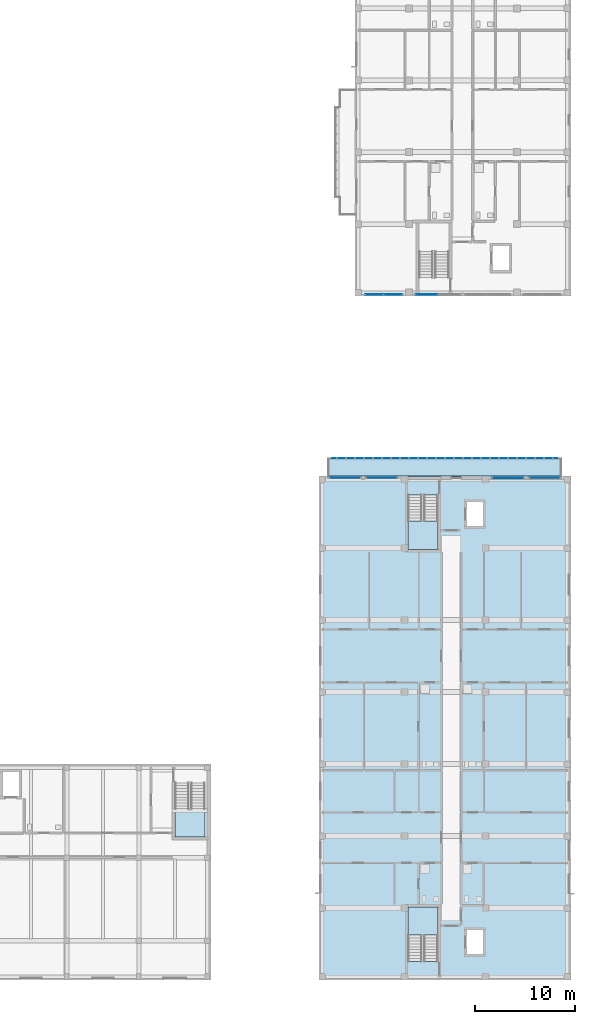
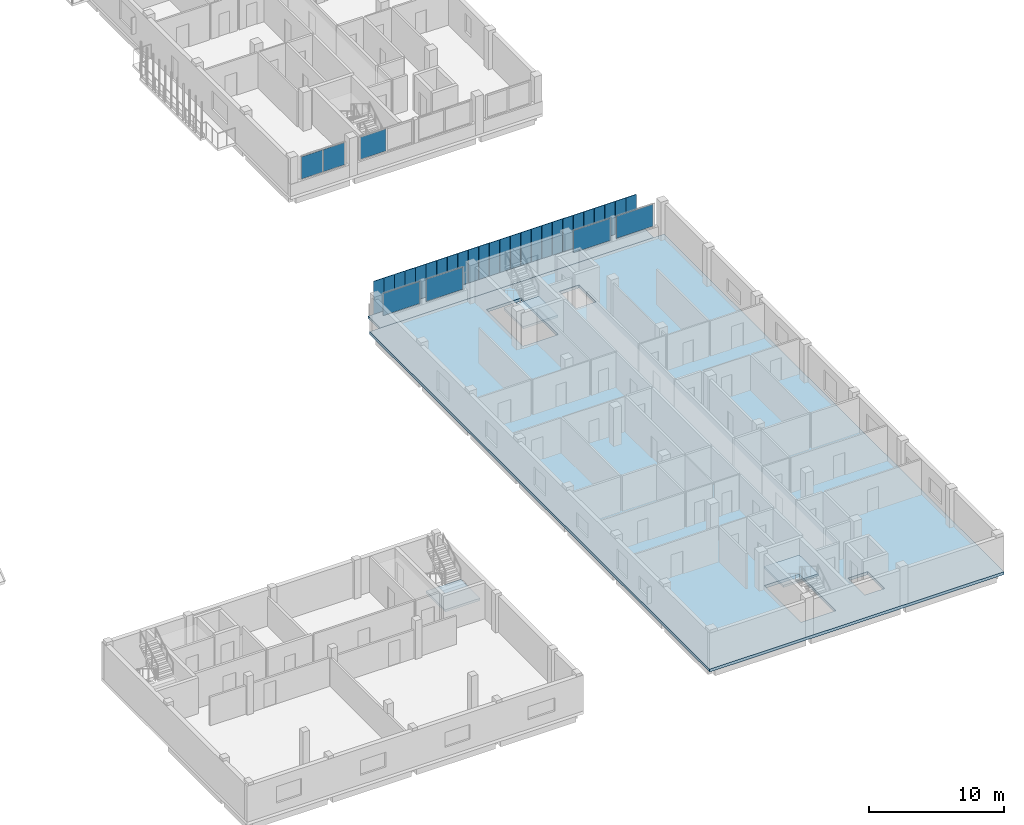
# One storey, part 33 of 73: 32 plates, 5 slabs, 9 elements without a shape of their own.
"""IFC4 building model written with IfcOpenShell, lengths in metres."""

from ifc_helpers import new_model, si_unit, derived_unit, direction, frame, origin, origin_2d, place, context, subcontext, project, spatial, polyline, rectangle, outline, extrude, material, layer, layer_set, type_object, element, aggregate, save


model = new_model("IFC4")

# Units and contexts
model_context = context("Model", 3, precision=1e-05, world=origin(), true_north=direction((0.0, 1.0)))
body_context = subcontext(model_context, "Body", "Model", "MODEL_VIEW")
ifc_project = project(units=[si_unit("LENGTHUNIT", "METRE"), si_unit("AREAUNIT", "SQUARE_METRE"), si_unit("VOLUMEUNIT", "CUBIC_METRE"), si_unit("PLANEANGLEUNIT", "RADIAN"), si_unit("MASSUNIT", "GRAM", prefix="KILO"), derived_unit("THERMALTRANSMITTANCEUNIT", [(si_unit("MASSUNIT", "GRAM", prefix="KILO"), 1), (si_unit("TIMEUNIT", "SECOND"), -3), (si_unit("THERMODYNAMICTEMPERATUREUNIT", "KELVIN"), -1)])], contexts=[model_context])

# Site, building, storey
site_placement = place(None, origin())
site = spatial("IfcSite", under=ifc_project, at=site_placement, CompositionType="ELEMENT")
building_placement = place(site_placement, origin())
building = spatial("IfcBuilding", under=site, at=building_placement, Name="Ochrekiln Boulevard Commons", CompositionType="ELEMENT")
storey_placement = place(building_placement, frame((0.0, 0.0, 8.574951171875)))
storey = spatial("IfcBuildingStorey", under=building, at=storey_placement, Name="L02", CompositionType="ELEMENT", Elevation=8.574951171875)

# Curtain wall, plate
ifc_material_1 = material(Name="Bronze-anodized extruded aluminium 6063-T6", Category="aluminium")
ifc_layer_1 = layer(ifc_material_1, 0.18408203125)
ifc_layer_set_1 = layer_set([ifc_layer_1], Name="Bronze-anodized extruded aluminium 6063-T6")
curtain_wall_type = type_object("IfcCurtainWallType", Name="CW-GABLE-B", PredefinedType="USERDEFINED", material=ifc_layer_set_1)
curtain_wall_1_placement = place(storey_placement, origin())
curtain_wall_1 = element("IfcCurtainWall", 1, at=curtain_wall_1_placement, inside=storey, type_object=curtain_wall_type, Name="Block B L02 Courtyard Glazed Gable Curtain Wall 2", ObjectType="GLAZED CURTAIN WALL", PredefinedType="USERDEFINED")
ifc_material_2 = material(Name="Spectrally selective low-E insulated glazing", Category="glass")
ifc_layer_2 = layer(ifc_material_2, 0.02392578125)
ifc_layer_set_2 = layer_set([ifc_layer_2], Name="Spectrally selective low-E insulated glazing")
plate_type_1 = type_object("IfcPlateType", Name="CWP-GLZ-1", PredefinedType="CURTAIN_PANEL", material=ifc_layer_set_2)
plate_1_placement = place(storey_placement, frame((158.38134765625, 68.570068359375, 1.175048828125), z_axis=(0.0, 0.0, 1.0), x_axis=(1.0, 0.0, 0.0)))
plate_1 = element("IfcPlate", 2, at=plate_1_placement, type_object=plate_type_1, Name="CW-02 panel 1.1", PredefinedType="CURTAIN_PANEL", context=body_context, shape_type="SweptSolid", body=[
    extrude(rectangle(XDim=2.1923828125, YDim=0.02392578125, at=origin_2d()), origin(), (0.0, 0.0, 1.0), 2.0),
])
aggregate(curtain_wall_1, [plate_1])

curtain_wall_2_placement = place(storey_placement, origin())
curtain_wall_2 = element("IfcCurtainWall", 3, at=curtain_wall_2_placement, inside=storey, type_object=curtain_wall_type, Name="Block C L02 Courtyard Glazed Gable Curtain Wall 4", ObjectType="GLAZED CURTAIN WALL", PredefinedType="USERDEFINED")
plate_2_placement = place(storey_placement, frame((170.18994140625, 50.235107421875, 1.175048828125), z_axis=(0.0, 0.0, 1.0), x_axis=(1.0, 0.0, 0.0)))
plate_2 = element("IfcPlate", 4, at=plate_2_placement, type_object=plate_type_1, Name="CW-02 panel 1.1", PredefinedType="CURTAIN_PANEL", context=body_context, shape_type="SweptSolid", body=[
    extrude(rectangle(XDim=3.14990234375, YDim=0.02392578125, at=origin_2d()), origin(), (0.0, 0.0, 1.0), 2.0),
])
aggregate(curtain_wall_2, [plate_2])

curtain_wall_3_placement = place(storey_placement, origin())
curtain_wall_3 = element("IfcCurtainWall", 5, at=curtain_wall_3_placement, inside=storey, type_object=curtain_wall_type, Name="Block C L02 Courtyard Glazed Gable Curtain Wall 1", ObjectType="GLAZED CURTAIN WALL", PredefinedType="USERDEFINED")
ifc_layer_3 = layer(ifc_material_2, 0.030029296875)
ifc_layer_set_3 = layer_set([ifc_layer_3], Name="Spectrally selective low-E insulated glazing")
plate_type_2 = type_object("IfcPlateType", Name="CWP-GLZ-2", PredefinedType="CURTAIN_PANEL", material=ifc_layer_set_3)
plate_3_placement = place(storey_placement, frame((150.2099609375, 50.235107421875, 1.175048828125), z_axis=(0.0, 0.0, 1.0), x_axis=(1.0, 0.0, 0.0)))
plate_3 = element("IfcPlate", 6, at=plate_3_placement, type_object=plate_type_2, Name="CW-02 panel 1.1", PredefinedType="CURTAIN_PANEL", context=body_context, shape_type="SweptSolid", body=[
    extrude(rectangle(XDim=3.14990234375, YDim=0.030029296875, at=origin_2d()), origin(), (0.0, 0.0, 1.0), 2.0),
])
aggregate(curtain_wall_3, [plate_3])

curtain_wall_4_placement = place(storey_placement, origin())
curtain_wall_4 = element("IfcCurtainWall", 7, at=curtain_wall_4_placement, inside=storey, type_object=curtain_wall_type, Name="Block C L02 Courtyard Glazed Gable Curtain Wall 2", ObjectType="GLAZED CURTAIN WALL", PredefinedType="USERDEFINED")
ifc_layer_4 = layer(ifc_material_2, 0.035888671875)
ifc_layer_set_4 = layer_set([ifc_layer_4], Name="Spectrally selective low-E insulated glazing")
plate_type_3 = type_object("IfcPlateType", Name="CWP-GLZ-3", PredefinedType="CURTAIN_PANEL", material=ifc_layer_set_4)
plate_4_placement = place(storey_placement, frame((153.889892578125, 50.235107421875, 1.175048828125), z_axis=(0.0, 0.0, 1.0), x_axis=(1.0, 0.0, 0.0)))
plate_4 = element("IfcPlate", 8, at=plate_4_placement, type_object=plate_type_3, Name="CW-02 panel 1.1", PredefinedType="CURTAIN_PANEL", context=body_context, shape_type="SweptSolid", body=[
    extrude(rectangle(XDim=3.14990234375, YDim=0.035888671875, at=origin_2d()), origin(), (0.0, 0.0, 1.0), 2.0),
])
aggregate(curtain_wall_4, [plate_4])

# Curtain wall, plates
curtain_wall_5_placement = place(storey_placement, origin())
curtain_wall_5 = element("IfcCurtainWall", 9, at=curtain_wall_5_placement, inside=storey, type_object=curtain_wall_type, Name="Block B L02 Courtyard Glazed Gable Curtain Wall 1", ObjectType="GLAZED CURTAIN WALL", PredefinedType="USERDEFINED")
ifc_layer_5 = layer(ifc_material_2, 0.0419921875)
ifc_layer_set_5 = layer_set([ifc_layer_5], Name="Spectrally selective low-E insulated glazing")
plate_type_4 = type_object("IfcPlateType", Name="CWP-GLZ-4", PredefinedType="CURTAIN_PANEL", material=ifc_layer_set_5)
plate_5_placement = place(storey_placement, frame((153.137451171875, 68.570068359375, 1.169921875), z_axis=(0.0, 0.0, 1.0), x_axis=(1.0, 0.0, 0.0)))
plate_5 = element("IfcPlate", 10, at=plate_5_placement, type_object=plate_type_4, Name="CW-02 panel 1.1", PredefinedType="CURTAIN_PANEL", context=body_context, shape_type="SweptSolid", body=[
    extrude(rectangle(XDim=1.81494140625, YDim=0.0419921875, at=origin_2d()), origin(), (0.0, 0.0, 1.0), 2.010009765625),
])
plate_6_placement = place(storey_placement, frame((155.012451171875, 68.570068359375, 1.169921875), z_axis=(0.0, 0.0, 1.0), x_axis=(1.0, 0.0, 0.0)))
plate_6 = element("IfcPlate", 11, at=plate_6_placement, type_object=plate_type_4, Name="CW-02 panel 2.1", PredefinedType="CURTAIN_PANEL", context=body_context, shape_type="SweptSolid", body=[
    extrude(rectangle(XDim=1.81494140625, YDim=0.0419921875, at=origin_2d()), origin(), (0.0, 0.0, 1.0), 2.010009765625),
])
aggregate(curtain_wall_5, [plate_5, plate_6])

# Curtain wall, plate
curtain_wall_6_placement = place(storey_placement, origin())
curtain_wall_6 = element("IfcCurtainWall", 12, at=curtain_wall_6_placement, inside=storey, type_object=curtain_wall_type, Name="Block C L02 Courtyard Glazed Gable Curtain Wall 3", ObjectType="GLAZED CURTAIN WALL", PredefinedType="USERDEFINED")
plate_7_placement = place(storey_placement, frame((166.510009765625, 50.235107421875, 1.175048828125), z_axis=(0.0, 0.0, 1.0), x_axis=(1.0, 0.0, 0.0)))
plate_7 = element("IfcPlate", 13, at=plate_7_placement, type_object=plate_type_4, Name="CW-02 panel 1.1", PredefinedType="CURTAIN_PANEL", context=body_context, shape_type="SweptSolid", body=[
    extrude(rectangle(XDim=3.14990234375, YDim=0.0419921875, at=origin_2d()), origin(), (0.0, 0.0, 1.0), 2.0),
])
aggregate(curtain_wall_6, [plate_7])

# Plates
ifc_layer_6 = layer(ifc_material_1, 0.0380859375)
ifc_layer_set_6 = layer_set([ifc_layer_6], Name="Bronze-anodized extruded aluminium 6063-T6")
plate_type_5 = type_object("IfcPlateType", Name="PLT-SCR-BRZ-4", PredefinedType="USERDEFINED", material=ifc_layer_set_6)
for number, where, z_axis, x_axis, name in (
    (14, (149.39990234375, 52.18994140625, -0.159912109375), (0.0, 0.0, 1.0), (1.0, 0.0, 0.0), "Block C L02 Perforated Bronze Mesh Screen Panel 1"),
    (15, (150.300048828125, 52.18994140625, -0.159912109375), (0.0, 0.0, 1.0), (1.0, 0.0, 0.0), "Block C L02 Perforated Bronze Mesh Screen Panel 2"),
    (16, (151.199951171875, 52.18994140625, -0.159912109375), (0.0, 0.0, 1.0), (1.0, 0.0, 0.0), "Block C L02 Perforated Bronze Mesh Screen Panel 3"),
    (17, (152.10009765625, 52.18994140625, -0.159912109375), (0.0, 0.0, 1.0), (1.0, 0.0, 0.0), "Block C L02 Perforated Bronze Mesh Screen Panel 4"),
    (18, (153.0, 52.18994140625, -0.159912109375), (0.0, 0.0, 1.0), (1.0, 0.0, 0.0), "Block C L02 Perforated Bronze Mesh Screen Panel 5"),
    (19, (153.89990234375, 52.18994140625, -0.159912109375), (0.0, 0.0, 1.0), (1.0, 0.0, 0.0), "Block C L02 Perforated Bronze Mesh Screen Panel 6"),
    (20, (154.800048828125, 52.18994140625, -0.159912109375), (0.0, 0.0, 1.0), (1.0, 0.0, 0.0), "Block C L02 Perforated Bronze Mesh Screen Panel 7"),
    (21, (155.699951171875, 52.18994140625, -0.159912109375), (0.0, 0.0, 1.0), (1.0, 0.0, 0.0), "Block C L02 Perforated Bronze Mesh Screen Panel 8"),
    (22, (156.60009765625, 52.18994140625, -0.159912109375), (0.0, 0.0, 1.0), (1.0, 0.0, 0.0), "Block C L02 Perforated Bronze Mesh Screen Panel 9"),
    (23, (157.5, 52.18994140625, -0.159912109375), (0.0, 0.0, 1.0), (1.0, 0.0, 0.0), "Block C L02 Perforated Bronze Mesh Screen Panel 10"),
    (24, (158.39990234375, 52.18994140625, -0.159912109375), (0.0, 0.0, 1.0), (1.0, 0.0, 0.0), "Block C L02 Perforated Bronze Mesh Screen Panel 11"),
    (25, (159.300048828125, 52.18994140625, -0.159912109375), (0.0, 0.0, 1.0), (1.0, 0.0, 0.0), "Block C L02 Perforated Bronze Mesh Screen Panel 12"),
    (26, (160.199951171875, 52.18994140625, -0.159912109375), (0.0, 0.0, 1.0), (1.0, 0.0, 0.0), "Block C L02 Perforated Bronze Mesh Screen Panel 13"),
    (27, (161.10009765625, 52.18994140625, -0.159912109375), (0.0, 0.0, 1.0), (1.0, 0.0, 0.0), "Block C L02 Perforated Bronze Mesh Screen Panel 14"),
    (28, (162.0, 52.18994140625, -0.159912109375), (0.0, 0.0, 1.0), (1.0, 0.0, 0.0), "Block C L02 Perforated Bronze Mesh Screen Panel 15"),
    (29, (162.89990234375, 52.18994140625, -0.159912109375), (0.0, 0.0, 1.0), (1.0, 0.0, 0.0), "Block C L02 Perforated Bronze Mesh Screen Panel 16"),
    (30, (163.800048828125, 52.18994140625, -0.159912109375), (0.0, 0.0, 1.0), (1.0, 0.0, 0.0), "Block C L02 Perforated Bronze Mesh Screen Panel 17"),
    (31, (164.699951171875, 52.18994140625, -0.159912109375), (0.0, 0.0, 1.0), (1.0, 0.0, 0.0), "Block C L02 Perforated Bronze Mesh Screen Panel 18"),
    (32, (165.60009765625, 52.18994140625, -0.159912109375), (0.0, 0.0, 1.0), (1.0, 0.0, 0.0), "Block C L02 Perforated Bronze Mesh Screen Panel 19"),
    (33, (166.5, 52.18994140625, -0.159912109375), (0.0, 0.0, 1.0), (1.0, 0.0, 0.0), "Block C L02 Perforated Bronze Mesh Screen Panel 20"),
    (34, (167.39990234375, 52.18994140625, -0.159912109375), (0.0, 0.0, 1.0), (1.0, 0.0, 0.0), "Block C L02 Perforated Bronze Mesh Screen Panel 21"),
    (35, (168.300048828125, 52.18994140625, -0.159912109375), (0.0, 0.0, 1.0), (1.0, 0.0, 0.0), "Block C L02 Perforated Bronze Mesh Screen Panel 22"),
    (36, (169.199951171875, 52.18994140625, -0.159912109375), (0.0, 0.0, 1.0), (1.0, 0.0, 0.0), "Block C L02 Perforated Bronze Mesh Screen Panel 23"),
    (37, (170.10009765625, 52.18994140625, -0.159912109375), (0.0, 0.0, 1.0), (1.0, 0.0, 0.0), "Block C L02 Perforated Bronze Mesh Screen Panel 24"),
    (38, (171.0, 52.18994140625, -0.159912109375), (0.0, 0.0, 1.0), (1.0, 0.0, 0.0), "Block C L02 Perforated Bronze Mesh Screen Panel 25"),
):
    element("IfcPlate", number, at=place(storey_placement, frame(where, z_axis=z_axis, x_axis=x_axis)), inside=storey, type_object=plate_type_5, Name=name, ObjectType="SCREEN", PredefinedType="USERDEFINED", context=body_context, shape_type="SweptSolid", body=[
        extrude(rectangle(XDim=0.8798828125, YDim=0.0380859375, at=origin_2d()), origin(), (0.0, 0.0, 1.0), 3.14990234375),
    ])

# Slab
ifc_material_3 = material(Name="Concrete C35/45", Category="concrete")
ifc_layer_7 = layer(ifc_material_3, 0.219970703125)
ifc_layer_set_7 = layer_set([ifc_layer_7], Name="Concrete C35/45")
slab_type_1 = type_object("IfcSlabType", Name="SLB-BAL-220", PredefinedType="FLOOR", material=ifc_layer_set_7)
slab_1_placement = place(storey_placement, frame((0.0, 0.0, -0.219970703125)))
element("IfcSlab", 39, at=slab_1_placement, inside=storey, type_object=slab_type_1, Name="Block C L02 Screened North Courtyard Balcony Slab", PredefinedType="FLOOR", context=body_context, shape_type="SweptSolid", body=[
    extrude(outline(polyline([(148.5, 50.39990234375), (171.89990234375, 50.39990234375), (171.89990234375, 52.199951171875), (148.5, 52.199951171875), (148.5, 50.39990234375)])), origin(), (0.0, 0.0, 1.0), 0.219970703125),
])

# Stair, slab
stair_type = type_object("IfcStairType", Name="STR-DL-350", PredefinedType="TWO_STRAIGHT_RUN_STAIR", material=ifc_material_3)
stair_1_placement = place(storey_placement, origin())
stair_1 = element("IfcStair", 40, at=stair_1_placement, inside=storey, type_object=stair_type, Name="L02 Enclosed Exit Stair ST-C1", PredefinedType="TWO_STRAIGHT_RUN_STAIR")
ifc_layer_8 = layer(ifc_material_3, 0.199951171875)
ifc_layer_set_8 = layer_set([ifc_layer_8], Name="Concrete C35/45")
slab_type_2 = type_object("IfcSlabType", Name="SLB-LND-200", PredefinedType="LANDING", material=ifc_layer_set_8)
slab_2_placement = place(storey_placement, frame((0.0, 0.0, 1.550048828125)))
slab_2 = element("IfcSlab", 41, at=slab_2_placement, type_object=slab_type_2, Name="ST-C1 landing 1", PredefinedType="LANDING", context=body_context, shape_type="SweptSolid", body=[
    extrude(outline(polyline([(159.5, 4.47998046875), (159.5, 7.320068359375), (156.5, 7.320068359375), (156.5, 4.47998046875), (159.5, 4.47998046875)])), origin(), (0.0, 0.0, 1.0), 0.199951171875),
])
aggregate(stair_1, [slab_2])

stair_2_placement = place(storey_placement, origin())
stair_2 = element("IfcStair", 42, at=stair_2_placement, inside=storey, type_object=stair_type, Name="L02 Enclosed Exit Stair ST-C2", PredefinedType="TWO_STRAIGHT_RUN_STAIR")
slab_3_placement = place(storey_placement, frame((0.0, 0.0, 1.550048828125)))
slab_3 = element("IfcSlab", 43, at=slab_3_placement, type_object=slab_type_2, Name="ST-C2 landing 1", PredefinedType="LANDING", context=body_context, shape_type="SweptSolid", body=[
    extrude(outline(polyline([(156.5, 45.919921875), (156.5, 43.080078125), (159.5, 43.080078125), (159.5, 45.919921875), (156.5, 45.919921875)])), origin(), (0.0, 0.0, 1.0), 0.199951171875),
])
aggregate(stair_2, [slab_3])

stair_3_placement = place(storey_placement, origin())
stair_3 = element("IfcStair", 44, at=stair_3_placement, inside=storey, type_object=stair_type, Name="L02 Enclosed Exit Stair ST-E2", PredefinedType="TWO_STRAIGHT_RUN_STAIR")
slab_4_placement = place(storey_placement, frame((0.0, 0.0, 1.550048828125)))
slab_4 = element("IfcSlab", 45, at=slab_4_placement, type_object=slab_type_2, Name="ST-E2 landing 1", PredefinedType="LANDING", context=body_context, shape_type="SweptSolid", body=[
    extrude(outline(polyline([(133.199951171875, 17.1201171875), (133.199951171875, 14.280029296875), (136.199951171875, 14.280029296875), (136.199951171875, 17.1201171875), (133.199951171875, 17.1201171875)])), origin(), (0.0, 0.0, 1.0), 0.199951171875),
])
aggregate(stair_3, [slab_4])

# Slab
ifc_layer_9 = layer(ifc_material_3, 0.260009765625)
ifc_layer_set_9 = layer_set([ifc_layer_9], Name="Concrete C35/45")
slab_type_3 = type_object("IfcSlabType", Name="SLB-RES-260", PredefinedType="FLOOR", material=ifc_layer_set_9)
slab_5_placement = place(storey_placement, frame((0.0, 0.0, -0.260009765625)))
element("IfcSlab", 46, at=slab_5_placement, inside=storey, type_object=slab_type_3, Name="Block C L02 Reinforced Concrete Floor Slab", PredefinedType="FLOOR", context=body_context, shape_type="SweptSolid", body=[
    extrude(outline(polyline([(147.60009765625, 0.0), (172.800048828125, 0.0), (172.800048828125, 50.39990234375), (147.60009765625, 50.39990234375), (147.60009765625, 0.0)]), holes=[polyline([(159.5, 1.87060546875), (159.5, 7.320068359375), (156.5, 7.320068359375), (156.5, 1.87060546875), (159.5, 1.87060546875)]), polyline([(156.5, 48.529541015625), (156.5, 43.080078125), (159.5, 43.080078125), (159.5, 48.529541015625), (156.5, 48.529541015625)]), polyline([(162.35009765625, 2.550048828125), (164.050048828125, 2.550048828125), (164.050048828125, 5.050048828125), (162.35009765625, 5.050048828125), (162.35009765625, 2.550048828125)]), polyline([(162.35009765625, 45.35009765625), (164.050048828125, 45.35009765625), (164.050048828125, 47.85009765625), (162.35009765625, 47.85009765625), (162.35009765625, 45.35009765625)])]), origin(), (0.0, 0.0, 1.0), 0.260009765625),
])

save(model, "model.ifc")
